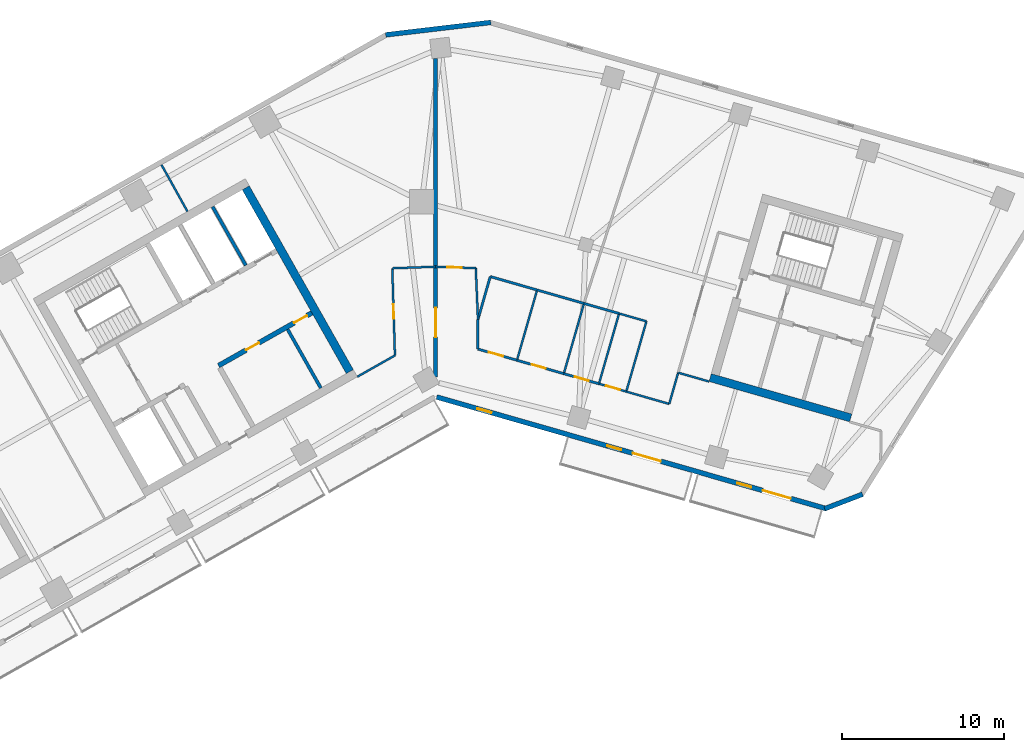
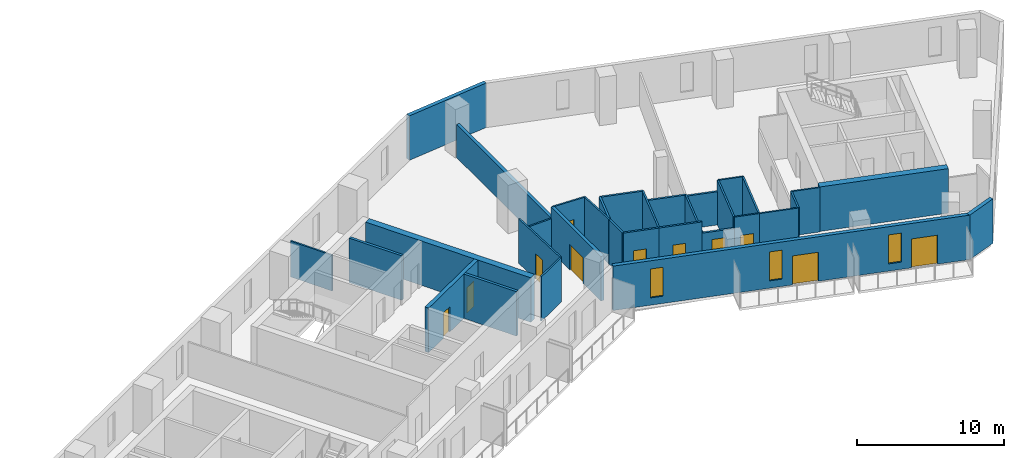
# One storey, part 5 of 9: 33 walls, 11 doors, 3 windows, 14 openings.
"""IFC4 building model written with IfcOpenShell, lengths in metres."""

from ifc_helpers import new_model, si_unit, direction, frame, frame_2d, origin, place, context, subcontext, project, spatial, rectangle, extrude, material, layer, layer_set, type_object, element, fill, save


model = new_model("IFC4")

# Units and contexts
model_context = context("Model", 3, precision=1e-05, world=origin(), true_north=direction((0.0, 1.0)))
body_context = subcontext(model_context, "Body", "Model", "MODEL_VIEW")
ifc_project = project(units=[si_unit("LENGTHUNIT", "METRE"), si_unit("AREAUNIT", "SQUARE_METRE"), si_unit("VOLUMEUNIT", "CUBIC_METRE"), si_unit("PLANEANGLEUNIT", "RADIAN"), si_unit("MASSUNIT", "GRAM", prefix="KILO")], contexts=[model_context])

# Site, building, storey
site_placement = place(None, origin())
site = spatial("IfcSite", under=ifc_project, at=site_placement, CompositionType="ELEMENT")
building_placement = place(site_placement, origin())
building = spatial("IfcBuilding", under=site, at=building_placement, Name="Binnacle Exchange Tower", CompositionType="ELEMENT")
storey_placement = place(building_placement, frame((0.0, 0.0, 182.89990234375)))
storey = spatial("IfcBuildingStorey", under=building, at=storey_placement, Name="L39", CompositionType="ELEMENT", Elevation=182.89990234375)

# Wall
ifc_material_1 = material(Name="Gypsum partition fire rated")
ifc_layer_1 = layer(ifc_material_1, 0.199951171875)
ifc_layer_set_1 = layer_set([ifc_layer_1], Name="Core partition 200")
wall_type_1 = type_object("IfcWallType", Name="Core partition 200", PredefinedType="PARTITIONING", material=ifc_layer_set_1)
wall_1_placement = place(storey_placement, frame((-9.11279296875, 52.14404296875, 0.0), z_axis=(0.0, 0.0, 1.0), x_axis=(0.492396453737, -0.870371031427, 0.0)))
element("IfcWall", 1, at=wall_1_placement, inside=storey, type_object=wall_type_1, Name="Core wall CRWC22", PredefinedType="PARTITIONING", context=body_context, shape_type="SweptSolid", body=[
    extrude(rectangle(XDim=4.14990234375, YDim=0.199951171875, at=frame_2d((2.074951171875, 0.0))), origin(), (0.0, 0.0, 1.0), 3.68017578125),
])

# Wall, openings, doors
ifc_material_2 = material(Name="Concrete C70/85", Category="concrete")
ifc_layer_2 = layer(ifc_material_2, 0.300048828125)
ifc_layer_set_2 = layer_set([ifc_layer_2], Name="Core wall - front 300")
wall_type_2 = type_object("IfcWallType", Name="Core wall - front 300", PredefinedType="SOLIDWALL", material=ifc_layer_set_2)
wall_2_placement = place(storey_placement, frame((-13.364501953125, 49.910888671875, 0.0), z_axis=(0.0, 0.0, 1.0), x_axis=(0.870356769198, 0.492421663121, 0.0)))
wall_2 = element("IfcWall", 2, at=wall_2_placement, inside=storey, type_object=wall_type_2, Name="Core wall CRWC3", PredefinedType="SOLIDWALL", context=body_context, shape_type="SweptSolid", body=[
    extrude(rectangle(XDim=6.60009765625, YDim=0.300048828125, at=frame_2d((3.300048828125, 0.0))), origin(), (0.0, 0.0, 1.0), 3.68017578125),
])
opening_1_placement = place(wall_2_placement, frame((1.949951171875, 0.0, 0.0)))
opening_1 = element("IfcOpeningElement", 3, at=opening_1_placement, cuts=wall_2, Name="Opening DC18", PredefinedType="OPENING", context=body_context, shape_type="SweptSolid", body=[
    extrude(rectangle(XDim=0.89990234375, YDim=2.10009765625, at=frame_2d((0.449951171875, 1.050048828125))), frame((0.0, 0.159912109375, 0.0), z_axis=(0.0, -1.0, 0.0), x_axis=(1.0, 0.0, 0.0)), (0.0, 0.0, 1.0), 0.320068359375),
])
opening_2_placement = place(wall_2_placement, frame((5.35009765625, 0.0, 0.0)))
opening_2 = element("IfcOpeningElement", 4, at=opening_2_placement, cuts=wall_2, Name="Opening DC19", PredefinedType="OPENING", context=body_context, shape_type="SweptSolid", body=[
    extrude(rectangle(XDim=0.89990234375, YDim=2.10009765625, at=frame_2d((0.449951171875, 1.050048828125))), frame((0.0, 0.159912109375, 0.0), z_axis=(0.0, -1.0, 0.0), x_axis=(1.0, 0.0, 0.0)), (0.0, 0.0, 1.0), 0.320068359375),
])
ifc_material_3 = material(Name="Steel door leaf", Category="steel")
door_type_1 = type_object("IfcDoorType", Name="Fire door 900", OperationType="NOTDEFINED", PredefinedType="DOOR", material=ifc_material_3)
door_1_placement = place(opening_1_placement, frame((0.89990234375, 0.0, 0.0), z_axis=(0.0, 0.0, 1.0), x_axis=(-1.0, 0.0, 0.0)))
door_1 = element("IfcDoor", 5, at=door_1_placement, inside=storey, type_object=door_type_1, Name="Core room door TELECOM RISER ROOM", OperationType="SINGLE_SWING_RIGHT", OverallHeight=2.10009765625, OverallWidth=0.89990234375, PredefinedType="DOOR", context=body_context, shape_type="SweptSolid", body=[
    extrude(rectangle(XDim=0.89990234375, YDim=2.10009765625, at=frame_2d((0.449951171875, 1.050048828125))), frame((0.0, 0.02490234375, 0.0), z_axis=(0.0, -1.0, 0.0), x_axis=(1.0, 0.0, 0.0)), (0.0, 0.0, 1.0), 0.050048828125),
])
fill(opening_1, door_1)
door_2_placement = place(opening_2_placement, frame((0.89990234375, 0.0, 0.0), z_axis=(0.0, 0.0, 1.0), x_axis=(-1.0, 0.0, 0.0)))
door_2 = element("IfcDoor", 6, at=door_2_placement, inside=storey, type_object=door_type_1, Name="Core room door FIBRE ENTRY ROOM", OperationType="SINGLE_SWING_LEFT", OverallHeight=2.10009765625, OverallWidth=0.89990234375, PredefinedType="DOOR", context=body_context, shape_type="SweptSolid", body=[
    extrude(rectangle(XDim=0.89990234375, YDim=2.10009765625, at=frame_2d((0.449951171875, 1.050048828125))), frame((0.0, 0.02490234375, 0.0), z_axis=(0.0, -1.0, 0.0), x_axis=(1.0, 0.0, 0.0)), (0.0, 0.0, 1.0), 0.050048828125),
])
fill(opening_2, door_2)

# Walls
ifc_layer_3 = layer(ifc_material_2, 0.5)
ifc_layer_set_3 = layer_set([ifc_layer_3], Name="Core wall - outer 500")
wall_type_3 = type_object("IfcWallType", Name="Core wall - outer 500", PredefinedType="SOLIDWALL", material=ifc_layer_set_3)
wall_3_placement = place(storey_placement, frame((-11.686767578125, 60.856201171875, 0.0), z_axis=(0.0, 0.0, 1.0), x_axis=(0.492427267353, -0.870353598469, 0.0)))
element("IfcWall", 7, at=wall_3_placement, inside=storey, type_object=wall_type_3, Name="Core wall CRWC24", PredefinedType="SOLIDWALL", context=body_context, shape_type="SweptSolid", body=[
    extrude(rectangle(XDim=13.0, YDim=0.5, at=frame_2d((6.5, 0.0))), origin(), (0.0, 0.0, 1.0), 3.68017578125),
])
wall_4_placement = place(storey_placement, frame((16.896728515625, 49.173095703125, 0.0), z_axis=(0.0, 0.0, 1.0), x_axis=(0.96126248289, -0.275634611374, 0.0)))
element("IfcWall", 8, at=wall_4_placement, inside=storey, type_object=wall_type_3, Name="Core wall CRWD1", PredefinedType="SOLIDWALL", context=body_context, shape_type="SweptSolid", body=[
    extrude(rectangle(XDim=9.0, YDim=0.5, at=frame_2d((4.5, 0.0))), origin(), (0.0, 0.0, 1.0), 3.68017578125),
])

# Wall, openings, doors, windows
ifc_material_4 = material(Name="Bronze aluminium cladding", Category="aluminium")
ifc_layer_4 = layer(ifc_material_4, 0.300048828125)
ifc_layer_set_4 = layer_set([ifc_layer_4], Name="External wall - spandrel 300")
wall_type_4 = type_object("IfcWallType", Name="External wall - spandrel 300", PredefinedType="STANDARD", material=ifc_layer_set_4)
wall_5_placement = place(storey_placement, frame((24.04248046875, 41.10595703125, 0.0), z_axis=(0.0, 0.0, 1.0), x_axis=(-0.961261693976, 0.275637362661, 0.0)))
wall_5 = element("IfcWall", 9, at=wall_5_placement, inside=storey, type_object=wall_type_4, Name="External wall EW-G02 L39", PredefinedType="STANDARD", context=body_context, shape_type="SweptSolid", body=[
    extrude(rectangle(XDim=24.948486328125, YDim=0.300048828125, at=frame_2d((12.47412109375, 0.0))), origin(), (0.0, 0.0, 1.0), 3.68017578125),
])
opening_3_placement = place(wall_5_placement, frame((21.441162109375, 0.0, 0.60009765625)))
opening_3 = element("IfcOpeningElement", 10, at=opening_3_placement, cuts=wall_5, Name="Opening WS3", PredefinedType="OPENING", context=body_context, shape_type="SweptSolid", body=[
    extrude(rectangle(XDim=0.89990234375, YDim=2.39990234375, at=frame_2d((0.449951171875, 1.199951171875))), frame((0.0, 0.159912109375, 0.0), z_axis=(0.0, -1.0, 0.0), x_axis=(1.0, 0.0, 0.0)), (0.0, 0.0, 1.0), 0.320068359375),
])
opening_4_placement = place(wall_5_placement, frame((13.120849609375, 0.0, 0.60009765625)))
opening_4 = element("IfcOpeningElement", 11, at=opening_4_placement, cuts=wall_5, Name="Opening WS3", PredefinedType="OPENING", context=body_context, shape_type="SweptSolid", body=[
    extrude(rectangle(XDim=0.89990234375, YDim=2.39990234375, at=frame_2d((0.449951171875, 1.199951171875))), frame((0.0, 0.159912109375, 0.0), z_axis=(0.0, -1.0, 0.0), x_axis=(1.0, 0.0, 0.0)), (0.0, 0.0, 1.0), 0.320068359375),
])
opening_5_placement = place(wall_5_placement, frame((10.5908203125, 0.0, 0.0)))
opening_5 = element("IfcOpeningElement", 12, at=opening_5_placement, cuts=wall_5, Name="Opening D-FS11-06", PredefinedType="OPENING", context=body_context, shape_type="SweptSolid", body=[
    extrude(rectangle(XDim=1.800048828125, YDim=2.39990234375, at=frame_2d((0.89990234375, 1.199951171875))), frame((0.0, 0.159912109375, 0.0), z_axis=(0.0, -1.0, 0.0), x_axis=(1.0, 0.0, 0.0)), (0.0, 0.0, 1.0), 0.320068359375),
])
opening_6_placement = place(wall_5_placement, frame((4.80029296875, 0.0, 0.60009765625)))
opening_6 = element("IfcOpeningElement", 13, at=opening_6_placement, cuts=wall_5, Name="Opening WS3", PredefinedType="OPENING", context=body_context, shape_type="SweptSolid", body=[
    extrude(rectangle(XDim=0.89990234375, YDim=2.39990234375, at=frame_2d((0.449951171875, 1.199951171875))), frame((0.0, 0.159912109375, 0.0), z_axis=(0.0, -1.0, 0.0), x_axis=(1.0, 0.0, 0.0)), (0.0, 0.0, 1.0), 0.320068359375),
])
opening_7_placement = place(wall_5_placement, frame((2.270263671875, 0.0, 0.0)))
opening_7 = element("IfcOpeningElement", 14, at=opening_7_placement, cuts=wall_5, Name="Opening D-FS11-07", PredefinedType="OPENING", context=body_context, shape_type="SweptSolid", body=[
    extrude(rectangle(XDim=1.800048828125, YDim=2.39990234375, at=frame_2d((0.89990234375, 1.199951171875))), frame((0.0, 0.159912109375, 0.0), z_axis=(0.0, -1.0, 0.0), x_axis=(1.0, 0.0, 0.0)), (0.0, 0.0, 1.0), 0.320068359375),
])
ifc_material_5 = material(Name="Bronze anodised aluminium frame", Category="aluminium")
door_type_2 = type_object("IfcDoorType", Name="DB DOOR 1800x2400", OperationType="DOUBLE_DOOR_SINGLE_SWING", PredefinedType="DOOR", material=ifc_material_5)
door_3_placement = place(opening_5_placement, origin())
door_3 = element("IfcDoor", 15, at=door_3_placement, inside=storey, type_object=door_type_2, Name="Door D-FS11-06 L39", OperationType="DOUBLE_DOOR_SINGLE_SWING", OverallHeight=2.39990234375, OverallWidth=1.800048828125, PredefinedType="DOOR", context=body_context, shape_type="SweptSolid", body=[
    extrude(rectangle(XDim=1.800048828125, YDim=2.39990234375, at=frame_2d((0.89990234375, 1.199951171875))), frame((0.0, 0.02490234375, 0.0), z_axis=(0.0, -1.0, 0.0), x_axis=(1.0, 0.0, 0.0)), (0.0, 0.0, 1.0), 0.050048828125),
])
fill(opening_5, door_3)
door_4_placement = place(opening_7_placement, origin())
door_4 = element("IfcDoor", 16, at=door_4_placement, inside=storey, type_object=door_type_2, Name="Door D-FS11-07 L39", OperationType="DOUBLE_DOOR_SINGLE_SWING", OverallHeight=2.39990234375, OverallWidth=1.800048828125, PredefinedType="DOOR", context=body_context, shape_type="SweptSolid", body=[
    extrude(rectangle(XDim=1.800048828125, YDim=2.39990234375, at=frame_2d((0.89990234375, 1.199951171875))), frame((0.0, 0.02490234375, 0.0), z_axis=(0.0, -1.0, 0.0), x_axis=(1.0, 0.0, 0.0)), (0.0, 0.0, 1.0), 0.050048828125),
])
fill(opening_7, door_4)
window_type = type_object("IfcWindowType", Name="WS3 WINDOW 900x2400", PartitioningType="SINGLE_PANEL", PredefinedType="WINDOW", material=ifc_material_5)
window_1_placement = place(opening_3_placement, origin())
window_1 = element("IfcWindow", 17, at=window_1_placement, inside=storey, type_object=window_type, Name="Window WS3 L39", OverallHeight=2.39990234375, OverallWidth=0.89990234375, PartitioningType="SINGLE_PANEL", PredefinedType="WINDOW", context=body_context, shape_type="SweptSolid", body=[
    extrude(rectangle(XDim=0.89990234375, YDim=2.39990234375, at=frame_2d((0.449951171875, 1.199951171875))), frame((0.0, 0.030029296875, 0.0), z_axis=(0.0, -1.0, 0.0), x_axis=(1.0, 0.0, 0.0)), (0.0, 0.0, 1.0), 0.06005859375),
])
fill(opening_3, window_1)
window_2_placement = place(opening_4_placement, origin())
window_2 = element("IfcWindow", 18, at=window_2_placement, inside=storey, type_object=window_type, Name="Window WS3 L39", OverallHeight=2.39990234375, OverallWidth=0.89990234375, PartitioningType="SINGLE_PANEL", PredefinedType="WINDOW", context=body_context, shape_type="SweptSolid", body=[
    extrude(rectangle(XDim=0.89990234375, YDim=2.39990234375, at=frame_2d((0.449951171875, 1.199951171875))), frame((0.0, 0.030029296875, 0.0), z_axis=(0.0, -1.0, 0.0), x_axis=(1.0, 0.0, 0.0)), (0.0, 0.0, 1.0), 0.06005859375),
])
fill(opening_4, window_2)
window_3_placement = place(opening_6_placement, origin())
window_3 = element("IfcWindow", 19, at=window_3_placement, inside=storey, type_object=window_type, Name="Window WS3 L39", OverallHeight=2.39990234375, OverallWidth=0.89990234375, PartitioningType="SINGLE_PANEL", PredefinedType="WINDOW", context=body_context, shape_type="SweptSolid", body=[
    extrude(rectangle(XDim=0.89990234375, YDim=2.39990234375, at=frame_2d((0.449951171875, 1.199951171875))), frame((0.0, 0.030029296875, 0.0), z_axis=(0.0, -1.0, 0.0), x_axis=(1.0, 0.0, 0.0)), (0.0, 0.0, 1.0), 0.06005859375),
])
fill(opening_6, window_3)

# Walls
wall_6_placement = place(storey_placement, frame((26.27783203125, 41.996337890625, 0.0), z_axis=(0.0, 0.0, 1.0), x_axis=(-0.933592404159, -0.358336745112, 0.0)))
element("IfcWall", 20, at=wall_6_placement, inside=storey, type_object=wall_type_4, Name="External wall EW-G03 L39", PredefinedType="STANDARD", context=body_context, shape_type="SweptSolid", body=[
    extrude(rectangle(XDim=2.496337890625, YDim=0.300048828125, at=frame_2d((1.248046875, 0.0))), origin(), (0.0, 0.0, 1.0), 3.68017578125),
])
wall_7_placement = place(storey_placement, frame((-3.076171875, 70.27294921875, 0.0), z_axis=(0.0, 0.0, 1.0), x_axis=(0.993067743007, 0.117543429416, 0.0)))
element("IfcWall", 21, at=wall_7_placement, inside=storey, type_object=wall_type_4, Name="External wall EW-G07 L39", PredefinedType="STANDARD", context=body_context, shape_type="SweptSolid", body=[
    extrude(rectangle(XDim=6.515625, YDim=0.300048828125, at=frame_2d((3.2578125, 0.0))), origin(), (0.0, 0.0, 1.0), 3.68017578125),
])

# Wall, opening, door
ifc_material_6 = material(Name="Concrete fire wall C30/37", Category="concrete")
ifc_layer_5 = layer(ifc_material_6, 0.25)
ifc_layer_set_5 = layer_set([ifc_layer_5], Name="Fire wall - compartment 250")
wall_type_5 = type_object("IfcWallType", Name="Fire wall - compartment 250", PredefinedType="PARTITIONING", material=ifc_layer_set_5)
wall_8_placement = place(storey_placement, frame((0.0, 49.218994140625, 0.0), z_axis=(0.0, 0.0, 1.0), x_axis=(0.0, 1.0, 0.0)))
wall_8 = element("IfcWall", 22, at=wall_8_placement, inside=storey, type_object=wall_type_5, Name="Fire Wall W10", PredefinedType="PARTITIONING", context=body_context, shape_type="SweptSolid", body=[
    extrude(rectangle(XDim=6.781005859375, YDim=0.25, at=frame_2d((3.390625, 0.0))), origin(), (0.0, 0.0, 1.0), 3.68017578125),
])
opening_8_placement = place(wall_8_placement, frame((2.449951171875, 0.0, 0.0)))
opening_8 = element("IfcOpeningElement", 23, at=opening_8_placement, cuts=wall_8, Name="Opening DL38-10", PredefinedType="OPENING", context=body_context, shape_type="SweptSolid", body=[
    extrude(rectangle(XDim=1.800048828125, YDim=2.10009765625, at=frame_2d((0.89990234375, 1.050048828125))), frame((0.0, 0.135009765625, 0.0), z_axis=(0.0, -1.0, 0.0), x_axis=(1.0, 0.0, 0.0)), (0.0, 0.0, 1.0), 0.27001953125),
])
door_type_3 = type_object("IfcDoorType", Name="Fire door 1800", OperationType="NOTDEFINED", PredefinedType="DOOR", material=ifc_material_3)
door_5_placement = place(opening_8_placement, origin())
door_5 = element("IfcDoor", 24, at=door_5_placement, inside=storey, type_object=door_type_3, Name="Door DL38-10", OperationType="DOUBLE_DOOR_SINGLE_SWING", OverallHeight=2.10009765625, OverallWidth=1.800048828125, PredefinedType="DOOR", context=body_context, shape_type="SweptSolid", body=[
    extrude(rectangle(XDim=1.800048828125, YDim=2.10009765625, at=frame_2d((0.89990234375, 1.050048828125))), frame((0.0, 0.02490234375, 0.0), z_axis=(0.0, -1.0, 0.0), x_axis=(1.0, 0.0, 0.0)), (0.0, 0.0, 1.0), 0.050048828125),
])
fill(opening_8, door_5)

# Walls
wall_9_placement = place(storey_placement, frame((0.0, 56.0, 0.0), z_axis=(0.0, 0.0, 1.0), x_axis=(0.0, 1.0, 0.0)))
element("IfcWall", 25, at=wall_9_placement, inside=storey, type_object=wall_type_5, Name="Fire Wall W11", PredefinedType="PARTITIONING", context=body_context, shape_type="SweptSolid", body=[
    extrude(rectangle(XDim=12.823974609375, YDim=0.25, at=frame_2d((6.412109375, 0.0))), origin(), (0.0, 0.0, 1.0), 2.748046875),
])
ifc_layer_6 = layer(ifc_material_1, 0.14990234375)
ifc_layer_set_6 = layer_set([ifc_layer_6], Name="Fire-rated partition 150")
wall_type_6 = type_object("IfcWallType", Name="Fire-rated partition 150", PredefinedType="PARTITIONING", material=ifc_layer_set_6)
wall_10_placement = place(storey_placement, frame((2.60107421875, 50.931884765625, 0.0), z_axis=(0.0, 0.0, 1.0), x_axis=(0.001073104681, 0.999999424223, 0.0)))
element("IfcWall", 26, at=wall_10_placement, inside=storey, type_object=wall_type_6, Name="Partition W14", PredefinedType="PARTITIONING", context=body_context, shape_type="SweptSolid", body=[
    extrude(rectangle(XDim=1.820068359375, YDim=0.14990234375, at=frame_2d((0.91015625, 0.0))), origin(), (0.0, 0.0, 1.0), 3.68017578125),
])

# Wall, opening, door
wall_11_placement = place(storey_placement, frame((2.60107421875, 50.931884765625, 0.0), z_axis=(0.0, 0.0, 1.0), x_axis=(0.961265528111, -0.275623991092, 0.0)))
wall_11 = element("IfcWall", 27, at=wall_11_placement, inside=storey, type_object=wall_type_6, Name="Partition W15", PredefinedType="PARTITIONING", context=body_context, shape_type="SweptSolid", body=[
    extrude(rectangle(XDim=2.499755859375, YDim=0.14990234375, at=frame_2d((1.25, 0.0))), origin(), (0.0, 0.0, 1.0), 3.68017578125),
])
opening_9_placement = place(wall_11_placement, frame((0.699951171875, 0.0, 0.0)))
opening_9 = element("IfcOpeningElement", 28, at=opening_9_placement, cuts=wall_11, Name="Opening DL38-04", PredefinedType="OPENING", context=body_context, shape_type="SweptSolid", body=[
    extrude(rectangle(XDim=0.89990234375, YDim=2.10009765625, at=frame_2d((0.449951171875, 1.050048828125))), frame((0.0, 0.0849609375, 0.0), z_axis=(0.0, -1.0, 0.0), x_axis=(1.0, 0.0, 0.0)), (0.0, 0.0, 1.0), 0.169921875),
])
door_6_placement = place(opening_9_placement, origin())
door_6 = element("IfcDoor", 29, at=door_6_placement, inside=storey, type_object=door_type_1, Name="Door DL38-04", OperationType="SINGLE_SWING_LEFT", OverallHeight=2.10009765625, OverallWidth=0.89990234375, PredefinedType="DOOR", context=body_context, shape_type="SweptSolid", body=[
    extrude(rectangle(XDim=0.89990234375, YDim=2.10009765625, at=frame_2d((0.449951171875, 1.050048828125))), frame((0.0, 0.02490234375, 0.0), z_axis=(0.0, -1.0, 0.0), x_axis=(1.0, 0.0, 0.0)), (0.0, 0.0, 1.0), 0.050048828125),
])
fill(opening_9, door_6)

# Walls
wall_12_placement = place(storey_placement, frame((2.60302734375, 52.751953125, 0.0), z_axis=(0.0, 0.0, 1.0), x_axis=(0.27569433145, 0.961245356611, 0.0)))
element("IfcWall", 30, at=wall_12_placement, inside=storey, type_object=wall_type_6, Name="Partition W16", PredefinedType="PARTITIONING", context=body_context, shape_type="SweptSolid", body=[
    extrude(rectangle(XDim=2.74951171875, YDim=0.14990234375, at=frame_2d((1.374755859375, 0.0))), origin(), (0.0, 0.0, 1.0), 3.68017578125),
])
wall_13_placement = place(storey_placement, frame((3.361083984375, 55.39501953125, 0.0), z_axis=(0.0, 0.0, 1.0), x_axis=(0.961268664977, -0.27561305073, 0.0)))
element("IfcWall", 31, at=wall_13_placement, inside=storey, type_object=wall_type_6, Name="Partition W17", PredefinedType="PARTITIONING", context=body_context, shape_type="SweptSolid", body=[
    extrude(rectangle(XDim=3.000244140625, YDim=0.14990234375, at=frame_2d((1.5, 0.0))), origin(), (0.0, 0.0, 1.0), 3.68017578125),
])

# Wall, opening, door
wall_14_placement = place(storey_placement, frame((5.00390625, 50.242919921875, 0.0), z_axis=(0.0, 0.0, 1.0), x_axis=(0.961268664977, -0.27561305073, 0.0)))
wall_14 = element("IfcWall", 32, at=wall_14_placement, inside=storey, type_object=wall_type_6, Name="Partition W19", PredefinedType="PARTITIONING", context=body_context, shape_type="SweptSolid", body=[
    extrude(rectangle(XDim=3.000244140625, YDim=0.14990234375, at=frame_2d((1.5, 0.0))), origin(), (0.0, 0.0, 1.0), 3.68017578125),
])
opening_10_placement = place(wall_14_placement, frame((0.949951171875, 0.0, 0.0)))
opening_10 = element("IfcOpeningElement", 33, at=opening_10_placement, cuts=wall_14, Name="Opening DL38-05", PredefinedType="OPENING", context=body_context, shape_type="SweptSolid", body=[
    extrude(rectangle(XDim=0.89990234375, YDim=2.10009765625, at=frame_2d((0.449951171875, 1.050048828125))), frame((0.0, 0.0849609375, 0.0), z_axis=(0.0, -1.0, 0.0), x_axis=(1.0, 0.0, 0.0)), (0.0, 0.0, 1.0), 0.169921875),
])
door_7_placement = place(opening_10_placement, origin())
door_7 = element("IfcDoor", 34, at=door_7_placement, inside=storey, type_object=door_type_1, Name="Door DL38-05", OperationType="SINGLE_SWING_LEFT", OverallHeight=2.10009765625, OverallWidth=0.89990234375, PredefinedType="DOOR", context=body_context, shape_type="SweptSolid", body=[
    extrude(rectangle(XDim=0.89990234375, YDim=2.10009765625, at=frame_2d((0.449951171875, 1.050048828125))), frame((0.0, 0.02490234375, 0.0), z_axis=(0.0, -1.0, 0.0), x_axis=(1.0, 0.0, 0.0)), (0.0, 0.0, 1.0), 0.050048828125),
])
fill(opening_10, door_7)

# Wall
wall_15_placement = place(storey_placement, frame((6.2451171875, 54.568115234375, 0.0), z_axis=(0.0, 0.0, 1.0), x_axis=(0.961240918172, -0.275709806194, 0.0)))
element("IfcWall", 35, at=wall_15_placement, inside=storey, type_object=wall_type_6, Name="Partition W20", PredefinedType="PARTITIONING", context=body_context, shape_type="SweptSolid", body=[
    extrude(rectangle(XDim=3.0, YDim=0.14990234375, at=frame_2d((1.5, 0.0))), origin(), (0.0, 0.0, 1.0), 2.85205078125),
])

# Wall, opening, door
wall_16_placement = place(storey_placement, frame((7.887939453125, 49.416015625, 0.0), z_axis=(0.0, 0.0, 1.0), x_axis=(0.9611628742, -0.275981755301, 0.0)))
wall_16 = element("IfcWall", 36, at=wall_16_placement, inside=storey, type_object=wall_type_6, Name="Partition W22", PredefinedType="PARTITIONING", context=body_context, shape_type="SweptSolid", body=[
    extrude(rectangle(XDim=2.25048828125, YDim=0.14990234375, at=frame_2d((1.125244140625, 0.0))), origin(), (0.0, 0.0, 1.0), 2.748046875),
])
opening_11_placement = place(wall_16_placement, frame((0.699951171875, 0.0, 0.0)))
opening_11 = element("IfcOpeningElement", 37, at=opening_11_placement, cuts=wall_16, Name="Opening DL38-06", PredefinedType="OPENING", context=body_context, shape_type="SweptSolid", body=[
    extrude(rectangle(XDim=0.89990234375, YDim=2.10009765625, at=frame_2d((0.449951171875, 1.050048828125))), frame((0.0, 0.0849609375, 0.0), z_axis=(0.0, -1.0, 0.0), x_axis=(1.0, 0.0, 0.0)), (0.0, 0.0, 1.0), 0.169921875),
])
door_8_placement = place(opening_11_placement, origin())
door_8 = element("IfcDoor", 38, at=door_8_placement, inside=storey, type_object=door_type_1, Name="Door DL38-06", OperationType="SINGLE_SWING_RIGHT", OverallHeight=2.10009765625, OverallWidth=0.89990234375, PredefinedType="DOOR", context=body_context, shape_type="SweptSolid", body=[
    extrude(rectangle(XDim=0.89990234375, YDim=2.10009765625, at=frame_2d((0.449951171875, 1.050048828125))), frame((0.0, 0.02490234375, 0.0), z_axis=(0.0, -1.0, 0.0), x_axis=(1.0, 0.0, 0.0)), (0.0, 0.0, 1.0), 0.050048828125),
])
fill(opening_11, door_8)

# Walls
wall_17_placement = place(storey_placement, frame((9.12890625, 53.740966796875, 0.0), z_axis=(0.0, 0.0, 1.0), x_axis=(0.961273691875, -0.275595517578, 0.0)))
element("IfcWall", 39, at=wall_17_placement, inside=storey, type_object=wall_type_6, Name="Partition W23", PredefinedType="PARTITIONING", context=body_context, shape_type="SweptSolid", body=[
    extrude(rectangle(XDim=2.249267578125, YDim=0.14990234375, at=frame_2d((1.12451171875, 0.0))), origin(), (0.0, 0.0, 1.0), 2.748046875),
])
ifc_material_7 = material(Name="Gypsum partition")
ifc_layer_7 = layer(ifc_material_7, 0.125)
ifc_layer_set_7 = layer_set([ifc_layer_7], Name="Partition 125")
wall_type_7 = type_object("IfcWallType", Name="Partition 125", PredefinedType="PARTITIONING", material=ifc_layer_set_7)
wall_18_placement = place(storey_placement, frame((-16.87890625, 62.278076171875, 0.0), z_axis=(0.0, 0.0, 1.0), x_axis=(0.486580163018, -0.873635933875, 0.0)))
element("IfcWall", 40, at=wall_18_placement, inside=storey, type_object=wall_type_7, Name="Partition W06", PredefinedType="PARTITIONING", context=body_context, shape_type="SweptSolid", body=[
    extrude(rectangle(XDim=3.29443359375, YDim=0.125, at=frame_2d((1.647216796875, 0.0))), origin(), (0.0, 0.0, 1.0), 2.960205078125),
])
wall_19_placement = place(storey_placement, frame((-4.821044921875, 49.22998046875, 0.0), z_axis=(0.0, 0.0, 1.0), x_axis=(0.870371217631, 0.492396124598, 0.0)))
element("IfcWall", 41, at=wall_19_placement, inside=storey, type_object=wall_type_7, Name="Partition W07", PredefinedType="PARTITIONING", context=body_context, shape_type="SweptSolid", body=[
    extrude(rectangle(XDim=2.65869140625, YDim=0.125, at=frame_2d((1.329345703125, 0.0))), origin(), (0.0, 0.0, 1.0), 3.68017578125),
])

# Wall, opening, door
wall_20_placement = place(storey_placement, frame((-2.669921875, 55.904052734375, 0.0), z_axis=(0.0, 0.0, 1.0), x_axis=(0.030338701418, -0.999539675649, 0.0)))
wall_20 = element("IfcWall", 42, at=wall_20_placement, inside=storey, type_object=wall_type_7, Name="Partition W08", PredefinedType="PARTITIONING", context=body_context, shape_type="SweptSolid", body=[
    extrude(rectangle(XDim=5.367431640625, YDim=0.125, at=frame_2d((2.68359375, 0.0))), origin(), (0.0, 0.0, 1.0), 3.68017578125),
])
opening_12_placement = place(wall_20_placement, frame((2.199951171875, 0.0, 0.0)))
opening_12 = element("IfcOpeningElement", 43, at=opening_12_placement, cuts=wall_20, Name="Opening DL38-03", PredefinedType="OPENING", context=body_context, shape_type="SweptSolid", body=[
    extrude(rectangle(XDim=0.89990234375, YDim=2.10009765625, at=frame_2d((0.449951171875, 1.050048828125))), frame((0.0, 0.072509765625, 0.0), z_axis=(0.0, -1.0, 0.0), x_axis=(1.0, 0.0, 0.0)), (0.0, 0.0, 1.0), 0.14501953125),
])
ifc_material_8 = material(Name="Timber door leaf", Category="wood")
door_type_4 = type_object("IfcDoorType", Name="Door 900", OperationType="NOTDEFINED", PredefinedType="DOOR", material=ifc_material_8)
door_9_placement = place(opening_12_placement, frame((0.89990234375, 0.0, 0.0), z_axis=(0.0, 0.0, 1.0), x_axis=(-1.0, 0.0, 0.0)))
door_9 = element("IfcDoor", 44, at=door_9_placement, inside=storey, type_object=door_type_4, Name="Door DL38-03", OperationType="SINGLE_SWING_RIGHT", OverallHeight=2.10009765625, OverallWidth=0.89990234375, PredefinedType="DOOR", context=body_context, shape_type="SweptSolid", body=[
    extrude(rectangle(XDim=0.89990234375, YDim=2.10009765625, at=frame_2d((0.449951171875, 1.050048828125))), frame((0.0, 0.02490234375, 0.0), z_axis=(0.0, -1.0, 0.0), x_axis=(1.0, 0.0, 0.0)), (0.0, 0.0, 1.0), 0.050048828125),
])
fill(opening_12, door_9)

# Wall
wall_21_placement = place(storey_placement, frame((-2.669921875, 55.904052734375, 0.0), z_axis=(0.0, 0.0, 1.0), x_axis=(0.999354913865, 0.03591317494, 0.0)))
element("IfcWall", 45, at=wall_21_placement, inside=storey, type_object=wall_type_7, Name="Partition W09", PredefinedType="PARTITIONING", context=body_context, shape_type="SweptSolid", body=[
    extrude(rectangle(XDim=2.671630859375, YDim=0.125, at=frame_2d((1.3359375, 0.0))), origin(), (0.0, 0.0, 1.0), 2.748046875),
])

# Wall, opening, door
wall_22_placement = place(storey_placement, frame((0.0, 56.0, 0.0), z_axis=(0.0, 0.0, 1.0), x_axis=(0.999349313684, -0.036068673934, 0.0)))
wall_22 = element("IfcWall", 46, at=wall_22_placement, inside=storey, type_object=wall_type_7, Name="Partition W12", PredefinedType="PARTITIONING", context=body_context, shape_type="SweptSolid", body=[
    extrude(rectangle(XDim=2.470703125, YDim=0.125, at=frame_2d((1.2353515625, 0.0))), origin(), (0.0, 0.0, 1.0), 3.68017578125),
])
opening_13_placement = place(wall_22_placement, frame((0.699951171875, 0.0, 0.0)))
opening_13 = element("IfcOpeningElement", 47, at=opening_13_placement, cuts=wall_22, Name="Opening DL38-08", PredefinedType="OPENING", context=body_context, shape_type="SweptSolid", body=[
    extrude(rectangle(XDim=0.89990234375, YDim=2.10009765625, at=frame_2d((0.449951171875, 1.050048828125))), frame((0.0, 0.072509765625, 0.0), z_axis=(0.0, -1.0, 0.0), x_axis=(1.0, 0.0, 0.0)), (0.0, 0.0, 1.0), 0.14501953125),
])
door_10_placement = place(opening_13_placement, origin())
door_10 = element("IfcDoor", 48, at=door_10_placement, inside=storey, type_object=door_type_4, Name="Door DL38-08", OperationType="SINGLE_SWING_LEFT", OverallHeight=2.10009765625, OverallWidth=0.89990234375, PredefinedType="DOOR", context=body_context, shape_type="SweptSolid", body=[
    extrude(rectangle(XDim=0.89990234375, YDim=2.10009765625, at=frame_2d((0.449951171875, 1.050048828125))), frame((0.0, 0.02490234375, 0.0), z_axis=(0.0, -1.0, 0.0), x_axis=(1.0, 0.0, 0.0)), (0.0, 0.0, 1.0), 0.050048828125),
])
fill(opening_13, door_10)

# Walls
wall_23_placement = place(storey_placement, frame((2.468994140625, 55.910888671875, 0.0), z_axis=(0.0, 0.0, 1.0), x_axis=(0.042391721597, -0.99910106693, 0.0)))
element("IfcWall", 49, at=wall_23_placement, inside=storey, type_object=wall_type_7, Name="Partition W13", PredefinedType="PARTITIONING", context=body_context, shape_type="SweptSolid", body=[
    extrude(rectangle(XDim=3.161865234375, YDim=0.125, at=frame_2d((1.5810546875, 0.0))), origin(), (0.0, 0.0, 1.0), 3.68017578125),
])
wall_24_placement = place(storey_placement, frame((5.00390625, 50.242919921875, 0.0), z_axis=(0.0, 0.0, 1.0), x_axis=(0.275838825927, 0.961203902464, 0.0)))
element("IfcWall", 50, at=wall_24_placement, inside=storey, type_object=wall_type_7, Name="Partition W18", PredefinedType="PARTITIONING", context=body_context, shape_type="SweptSolid", body=[
    extrude(rectangle(XDim=4.499755859375, YDim=0.125, at=frame_2d((2.25, 0.0))), origin(), (0.0, 0.0, 1.0), 3.68017578125),
])
wall_25_placement = place(storey_placement, frame((7.887939453125, 49.416015625, 0.0), z_axis=(0.0, 0.0, 1.0), x_axis=(0.275803080638, 0.96121415965, 0.0)))
element("IfcWall", 51, at=wall_25_placement, inside=storey, type_object=wall_type_7, Name="Partition W21", PredefinedType="PARTITIONING", context=body_context, shape_type="SweptSolid", body=[
    extrude(rectangle(XDim=4.49951171875, YDim=0.125, at=frame_2d((2.249755859375, 0.0))), origin(), (0.0, 0.0, 1.0), 2.85205078125),
])
wall_26_placement = place(storey_placement, frame((10.051025390625, 48.794921875, 0.0), z_axis=(0.0, 0.0, 1.0), x_axis=(0.275530671241, 0.961292280841, 0.0)))
element("IfcWall", 52, at=wall_26_placement, inside=storey, type_object=wall_type_7, Name="Partition W25", PredefinedType="PARTITIONING", context=body_context, shape_type="SweptSolid", body=[
    extrude(rectangle(XDim=4.50048828125, YDim=0.125, at=frame_2d((2.250244140625, 0.0))), origin(), (0.0, 0.0, 1.0), 3.68017578125),
])

# Wall, opening, door
wall_27_placement = place(storey_placement, frame((10.051025390625, 48.794921875, 0.0), z_axis=(0.0, 0.0, 1.0), x_axis=(0.961313033798, -0.275458256455, 0.0)))
wall_27 = element("IfcWall", 53, at=wall_27_placement, inside=storey, type_object=wall_type_7, Name="Partition W26", PredefinedType="PARTITIONING", context=body_context, shape_type="SweptSolid", body=[
    extrude(rectangle(XDim=1.74951171875, YDim=0.125, at=frame_2d((0.874755859375, 0.0))), origin(), (0.0, 0.0, 1.0), 3.68017578125),
])
opening_14_placement = place(wall_27_placement, frame((0.449951171875, 0.0, 0.0)))
opening_14 = element("IfcOpeningElement", 54, at=opening_14_placement, cuts=wall_27, Name="Opening DL38-07", PredefinedType="OPENING", context=body_context, shape_type="SweptSolid", body=[
    extrude(rectangle(XDim=0.89990234375, YDim=2.10009765625, at=frame_2d((0.449951171875, 1.050048828125))), frame((0.0, 0.072509765625, 0.0), z_axis=(0.0, -1.0, 0.0), x_axis=(1.0, 0.0, 0.0)), (0.0, 0.0, 1.0), 0.14501953125),
])
door_11_placement = place(opening_14_placement, origin())
door_11 = element("IfcDoor", 55, at=door_11_placement, inside=storey, type_object=door_type_4, Name="Door DL38-07", OperationType="SINGLE_SWING_RIGHT", OverallHeight=2.10009765625, OverallWidth=0.89990234375, PredefinedType="DOOR", context=body_context, shape_type="SweptSolid", body=[
    extrude(rectangle(XDim=0.89990234375, YDim=2.10009765625, at=frame_2d((0.449951171875, 1.050048828125))), frame((0.0, 0.02490234375, 0.0), z_axis=(0.0, -1.0, 0.0), x_axis=(1.0, 0.0, 0.0)), (0.0, 0.0, 1.0), 0.050048828125),
])
fill(opening_14, door_11)

# Walls
wall_28_placement = place(storey_placement, frame((11.291015625, 53.12109375, 0.0), z_axis=(0.0, 0.0, 1.0), x_axis=(0.961329010357, -0.275402494264, 0.0)))
element("IfcWall", 56, at=wall_28_placement, inside=storey, type_object=wall_type_7, Name="Partition W27", PredefinedType="PARTITIONING", context=body_context, shape_type="SweptSolid", body=[
    extrude(rectangle(XDim=1.750732421875, YDim=0.125, at=frame_2d((0.87548828125, 0.0))), origin(), (0.0, 0.0, 1.0), 3.68017578125),
])
wall_29_placement = place(storey_placement, frame((11.73291015625, 48.31298828125, 0.0), z_axis=(0.0, 0.0, 1.0), x_axis=(0.275795676316, 0.961216284155, 0.0)))
element("IfcWall", 57, at=wall_29_placement, inside=storey, type_object=wall_type_7, Name="Partition W28", PredefinedType="PARTITIONING", context=body_context, shape_type="SweptSolid", body=[
    extrude(rectangle(XDim=4.50048828125, YDim=0.125, at=frame_2d((2.250244140625, 0.0))), origin(), (0.0, 0.0, 1.0), 3.68017578125),
])
wall_30_placement = place(storey_placement, frame((11.73291015625, 48.31298828125, 0.0), z_axis=(0.0, 0.0, 1.0), x_axis=(0.961272337704, -0.275600240865, 0.0)))
element("IfcWall", 58, at=wall_30_placement, inside=storey, type_object=wall_type_7, Name="Partition W29", PredefinedType="PARTITIONING", context=body_context, shape_type="SweptSolid", body=[
    extrude(rectangle(XDim=2.75048828125, YDim=0.125, at=frame_2d((1.375244140625, 0.0))), origin(), (0.0, 0.0, 1.0), 3.68017578125),
])
wall_31_placement = place(storey_placement, frame((14.376953125, 47.554931640625, 0.0), z_axis=(0.0, 0.0, 1.0), x_axis=(0.275446387355, 0.961316434736, 0.0)))
element("IfcWall", 59, at=wall_31_placement, inside=storey, type_object=wall_type_7, Name="Partition W30", PredefinedType="PARTITIONING", context=body_context, shape_type="SweptSolid", body=[
    extrude(rectangle(XDim=2.00048828125, YDim=0.125, at=frame_2d((1.000244140625, 0.0))), origin(), (0.0, 0.0, 1.0), 3.68017578125),
])
wall_32_placement = place(storey_placement, frame((14.927978515625, 49.47802734375, 0.0), z_axis=(0.0, 0.0, 1.0), x_axis=(0.961243778232, -0.27569983462, 0.0)))
element("IfcWall", 60, at=wall_32_placement, inside=storey, type_object=wall_type_7, Name="Partition W31", PredefinedType="PARTITIONING", context=body_context, shape_type="SweptSolid", body=[
    extrude(rectangle(XDim=1.9765625, YDim=0.125, at=frame_2d((0.98828125, 0.0))), origin(), (0.0, 0.0, 1.0), 3.68017578125),
])
ifc_material_9 = material(Name="Masonry block wall", Category="masonry")
ifc_layer_8 = layer(ifc_material_9, 0.199951171875)
ifc_layer_set_8 = layer_set([ifc_layer_8], Name="Shaft wall 200")
wall_type_8 = type_object("IfcWallType", Name="Shaft wall 200", PredefinedType="SOLIDWALL", material=ifc_layer_set_8)
wall_33_placement = place(storey_placement, frame((-13.73193359375, 59.698974609375, 0.0), z_axis=(0.0, 0.0, 1.0), x_axis=(0.492396453737, -0.870371031427, 0.0)))
element("IfcWall", 61, at=wall_33_placement, inside=storey, type_object=wall_type_8, Name="Core wall CRWC21", PredefinedType="SOLIDWALL", context=body_context, shape_type="SweptSolid", body=[
    extrude(rectangle(XDim=4.14990234375, YDim=0.199951171875, at=frame_2d((2.074951171875, 0.0))), origin(), (0.0, 0.0, 1.0), 3.68017578125),
])

save(model, "model.ifc")
